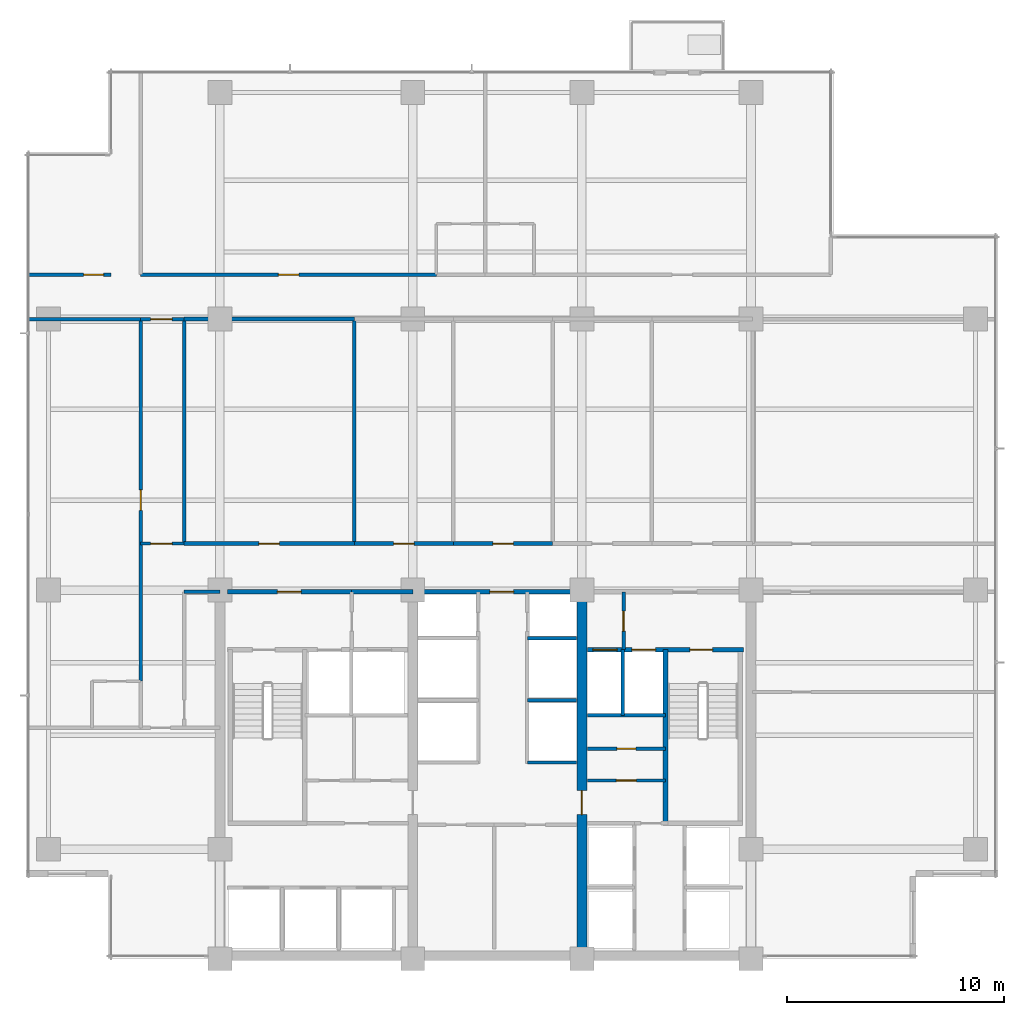
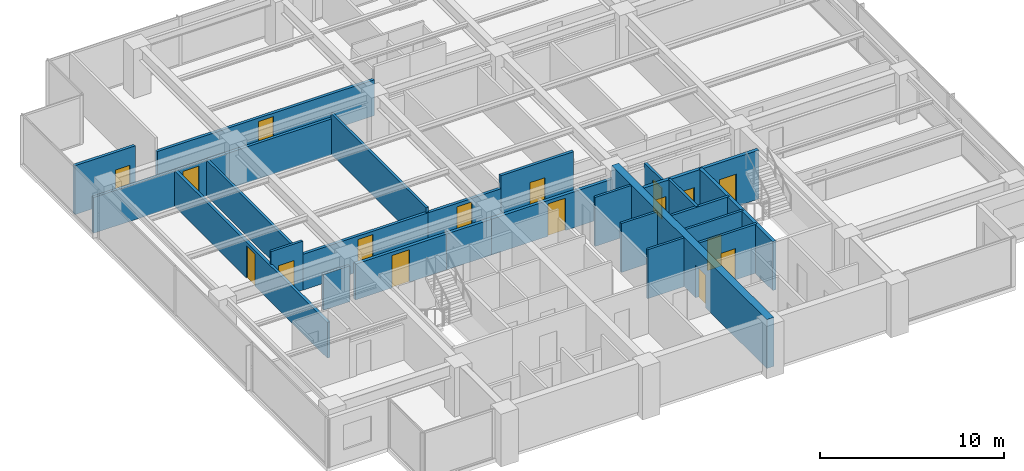
# One storey, part 8 of 15: 27 walls, 17 doors, 17 openings.
"""IFC4 building model written with IfcOpenShell, lengths in metres."""

from ifc_helpers import new_model, si_unit, direction, frame, frame_2d, origin, place, context, subcontext, project, spatial, rectangle, extrude, material, layer, layer_set, type_object, element, fill, save


model = new_model("IFC4")

# Units and contexts
model_context = context("Model", 3, precision=1e-05, world=origin(), true_north=direction((0.0, 1.0)))
body_context = subcontext(model_context, "Body", "Model", "MODEL_VIEW")
ifc_project = project(units=[si_unit("LENGTHUNIT", "METRE"), si_unit("AREAUNIT", "SQUARE_METRE"), si_unit("VOLUMEUNIT", "CUBIC_METRE"), si_unit("PLANEANGLEUNIT", "RADIAN"), si_unit("MASSUNIT", "GRAM", prefix="KILO")], contexts=[model_context])

# Site, building, storey
site_placement = place(None, origin())
site = spatial("IfcSite", under=ifc_project, at=site_placement, CompositionType="ELEMENT")
building_placement = place(site_placement, origin())
building = spatial("IfcBuilding", under=site, at=building_placement, Name="Qalmaran Belvedere Hotel", CompositionType="ELEMENT")
storey_placement = place(building_placement, frame((0.0, 0.0, 149.10009765625)))
storey = spatial("IfcBuildingStorey", under=building, at=storey_placement, Name="L37", CompositionType="ELEMENT", Elevation=149.10009765625)

# Wall, opening, door
ifc_material_1 = material(Name="Concrete C50/60", Category="concrete")
ifc_layer_1 = layer(ifc_material_1, 0.449951171875, Name="Concrete C50/60")
ifc_layer_set_1 = layer_set([ifc_layer_1], Name="Concrete C50/60")
wall_type_1 = type_object("IfcWallType", Name="WL-CORE-450-C50", PredefinedType="SHEAR", material=ifc_layer_set_1)
wall_1_placement = place(storey_placement, frame((37.0, 3.5, 0.0), z_axis=(0.0, 0.0, 1.0), x_axis=(0.0, 1.0, 0.0)))
wall_1 = element("IfcWall", 1, at=wall_1_placement, inside=storey, type_object=wall_type_1, Name="L37 Core East Spine Shear Wall", PredefinedType="SHEAR", context=body_context, shape_type="SweptSolid", body=[
    extrude(rectangle(XDim=16.89990234375, YDim=0.449951171875, at=frame_2d((8.449951171875, 0.0))), origin(), (0.0, 0.0, 1.0), 3.25),
])
opening_1_placement = place(wall_1_placement, frame((6.64990234375, 0.0, 0.0)))
opening_1 = element("IfcOpeningElement", 2, at=opening_1_placement, cuts=wall_1, Name="Opening FD90", PredefinedType="OPENING", context=body_context, shape_type="SweptSolid", body=[
    extrude(rectangle(XDim=1.10009765625, YDim=2.14990234375, at=frame_2d((0.550048828125, 1.074951171875))), frame((0.0, 0.23486328125, 0.0), z_axis=(0.0, -1.0, 0.0), x_axis=(1.0, 0.0, 0.0)), (0.0, 0.0, 1.0), 0.469970703125),
])
ifc_material_2 = material(Name="Steel S355JR", Category="steel")
door_type_1 = type_object("IfcDoorType", Name="DR-FD90-1100X2150", OperationType="NOTDEFINED", PredefinedType="DOOR", material=ifc_material_2)
door_1_placement = place(opening_1_placement, origin())
door_1 = element("IfcDoor", 3, at=door_1_placement, inside=storey, type_object=door_type_1, Name="L37 Core East Cross-Lobby Door", OperationType="SINGLE_SWING_RIGHT", OverallHeight=2.14990234375, OverallWidth=1.10009765625, PredefinedType="DOOR", context=body_context, shape_type="SweptSolid", body=[
    extrude(rectangle(XDim=1.10009765625, YDim=2.14990234375, at=frame_2d((0.550048828125, 1.074951171875))), frame((0.0, 0.02490234375, 0.0), z_axis=(0.0, -1.0, 0.0), x_axis=(1.0, 0.0, 0.0)), (0.0, 0.0, 1.0), 0.050048828125),
])
fill(opening_1, door_1)

# Walls
ifc_material_3 = material(Name="Gypsum Stud Partition")
ifc_layer_2 = layer(ifc_material_3, 0.14990234375, Name="Gypsum Stud Partition")
ifc_layer_set_2 = layer_set([ifc_layer_2], Name="Gypsum Stud Partition")
wall_type_2 = type_object("IfcWallType", Name="WL-INT-150-EI120", PredefinedType="PARTITIONING", material=ifc_layer_set_2)
wall_2_placement = place(storey_placement, frame((38.8798828125, 14.719970703125, 0.0), z_axis=(0.0, 0.0, 1.0), x_axis=(0.0, 1.0, 0.0)))
element("IfcWall", 4, at=wall_2_placement, inside=storey, type_object=wall_type_2, Name="L37 Partition WL-FF2M-L37", PredefinedType="PARTITIONING", context=body_context, shape_type="SweptSolid", body=[
    extrude(rectangle(XDim=3.0400390625, YDim=0.14990234375, at=frame_2d((1.52001953125, 0.0))), origin(), (0.0, 0.0, 1.0), 3.25),
])
for number, where, z_axis, x_axis, name in (
    (5, (34.47998046875, 12.550048828125, 0.0), (0.0, 0.0, 1.0), (1.0, 0.0, 0.0), "L37 Partition WL-PME-L37-125"),
    (6, (34.47998046875, 15.419921875, 0.0), (0.0, 0.0, 1.0), (1.0, 0.0, 0.0), "L37 Partition WL-PME-L37-154"),
    (7, (34.47998046875, 18.280029296875, 0.0), (0.0, 0.0, 1.0), (1.0, 0.0, 0.0), "L37 Partition WL-PME-L37-182"),
):
    element("IfcWall", number, at=place(storey_placement, frame(where, z_axis=z_axis, x_axis=x_axis)), inside=storey, type_object=wall_type_2, Name=name, PredefinedType="PARTITIONING", context=body_context, shape_type="SweptSolid", body=[
        extrude(rectangle(XDim=2.27001953125, YDim=0.14990234375, at=frame_2d((1.135009765625, 0.0))), origin(), (0.0, 0.0, 1.0), 3.25),
    ])

# Wall, opening, door
ifc_layer_3 = layer(ifc_material_3, 0.14990234375, Name="Gypsum Stud Partition")
ifc_layer_set_3 = layer_set([ifc_layer_3], Name="Gypsum Stud Partition")
wall_type_3 = type_object("IfcWallType", Name="WL-INT-150-EI60", PredefinedType="PARTITIONING", material=ifc_layer_set_3)
wall_3_placement = place(storey_placement, frame((37.25, 13.18505859375, 0.0), z_axis=(0.0, 0.0, 1.0), x_axis=(1.0, 0.0, 0.0)))
wall_3 = element("IfcWall", 8, at=wall_3_placement, inside=storey, type_object=wall_type_3, Name="L37 Partition WL-L37-KEHM", PredefinedType="PARTITIONING", context=body_context, shape_type="SweptSolid", body=[
    extrude(rectangle(XDim=3.610107421875, YDim=0.14990234375, at=frame_2d((1.80517578125, 0.0))), origin(), (0.0, 0.0, 1.0), 3.25),
])
opening_2_placement = place(wall_3_placement, frame((1.364990234375, 0.0, 0.0)))
opening_2 = element("IfcOpeningElement", 9, at=opening_2_placement, cuts=wall_3, Name="Opening FD60B", PredefinedType="OPENING", context=body_context, shape_type="SweptSolid", body=[
    extrude(rectangle(XDim=0.8798828125, YDim=2.080078125, at=frame_2d((0.43994140625, 1.0400390625))), frame((0.0, 0.0849609375, 0.0), z_axis=(0.0, -1.0, 0.0), x_axis=(1.0, 0.0, 0.0)), (0.0, 0.0, 1.0), 0.169921875),
])
door_type_2 = type_object("IfcDoorType", Name="DR-FD60B-880X2080", OperationType="NOTDEFINED", PredefinedType="DOOR", material=ifc_material_2)
door_2_placement = place(opening_2_placement, origin())
door_2 = element("IfcDoor", 10, at=door_2_placement, inside=storey, type_object=door_type_2, Name="L37 Hotel Linen Closet Door", OperationType="SINGLE_SWING_LEFT", OverallHeight=2.080078125, OverallWidth=0.8798828125, PredefinedType="DOOR", context=body_context, shape_type="SweptSolid", body=[
    extrude(rectangle(XDim=0.8798828125, YDim=2.080078125, at=frame_2d((0.43994140625, 1.0400390625))), frame((0.0, 0.02490234375, 0.0), z_axis=(0.0, -1.0, 0.0), x_axis=(1.0, 0.0, 0.0)), (0.0, 0.0, 1.0), 0.050048828125),
])
fill(opening_2, door_2)

wall_4_placement = place(storey_placement, frame((16.64990234375, 22.64990234375, 0.0), z_axis=(0.0, 0.0, 1.0), x_axis=(1.0, 0.0, 0.0)))
wall_4 = element("IfcWall", 11, at=wall_4_placement, inside=storey, type_object=wall_type_3, Name="L37 Partition WL-L37-XCW1", PredefinedType="PARTITIONING", context=body_context, shape_type="SweptSolid", body=[
    extrude(rectangle(XDim=2.0, YDim=0.14990234375, at=frame_2d((1.0, 0.0))), origin(), (0.0, 0.0, 1.0), 3.25),
])
opening_3_placement = place(wall_4_placement, frame((0.449951171875, 0.0, 0.0)))
opening_3 = element("IfcOpeningElement", 12, at=opening_3_placement, cuts=wall_4, Name="Opening FD90B", PredefinedType="OPENING", context=body_context, shape_type="SweptSolid", body=[
    extrude(rectangle(XDim=1.0, YDim=2.14990234375, at=frame_2d((0.5, 1.074951171875))), frame((0.0, 0.0849609375, 0.0), z_axis=(0.0, -1.0, 0.0), x_axis=(1.0, 0.0, 0.0)), (0.0, 0.0, 1.0), 0.169921875),
])
door_type_3 = type_object("IfcDoorType", Name="DR-FD90B-1000X2150", OperationType="NOTDEFINED", PredefinedType="DOOR", material=ifc_material_2)
door_3_placement = place(opening_3_placement, origin())
door_3 = element("IfcDoor", 13, at=door_3_placement, inside=storey, type_object=door_type_3, Name="L37 West Corridor Smoke Door S", OperationType="SINGLE_SWING_LEFT", OverallHeight=2.14990234375, OverallWidth=1.0, PredefinedType="DOOR", context=body_context, shape_type="SweptSolid", body=[
    extrude(rectangle(XDim=1.0, YDim=2.14990234375, at=frame_2d((0.5, 1.074951171875))), frame((0.0, 0.02490234375, 0.0), z_axis=(0.0, -1.0, 0.0), x_axis=(1.0, 0.0, 0.0)), (0.0, 0.0, 1.0), 0.050048828125),
])
fill(opening_3, door_3)

wall_5_placement = place(storey_placement, frame((16.64990234375, 33.0, 0.0), z_axis=(0.0, 0.0, 1.0), x_axis=(1.0, 0.0, 0.0)))
wall_5 = element("IfcWall", 14, at=wall_5_placement, inside=storey, type_object=wall_type_3, Name="L37 Partition WL-L37-XCW2", PredefinedType="PARTITIONING", context=body_context, shape_type="SweptSolid", body=[
    extrude(rectangle(XDim=2.0, YDim=0.14990234375, at=frame_2d((1.0, 0.0))), origin(), (0.0, 0.0, 1.0), 2.3798828125),
])
opening_4_placement = place(wall_5_placement, frame((0.449951171875, 0.0, 0.0)))
opening_4 = element("IfcOpeningElement", 15, at=opening_4_placement, cuts=wall_5, Name="Opening FD90B", PredefinedType="OPENING", context=body_context, shape_type="SweptSolid", body=[
    extrude(rectangle(XDim=1.0, YDim=2.14990234375, at=frame_2d((0.5, 1.074951171875))), frame((0.0, 0.0849609375, 0.0), z_axis=(0.0, -1.0, 0.0), x_axis=(1.0, 0.0, 0.0)), (0.0, 0.0, 1.0), 0.169921875),
])
door_4_placement = place(opening_4_placement, origin())
door_4 = element("IfcDoor", 16, at=door_4_placement, inside=storey, type_object=door_type_3, Name="L37 West Corridor Smoke Door N", OperationType="SINGLE_SWING_RIGHT", OverallHeight=2.14990234375, OverallWidth=1.0, PredefinedType="DOOR", context=body_context, shape_type="SweptSolid", body=[
    extrude(rectangle(XDim=1.0, YDim=2.14990234375, at=frame_2d((0.5, 1.074951171875))), frame((0.0, 0.02490234375, 0.0), z_axis=(0.0, -1.0, 0.0), x_axis=(1.0, 0.0, 0.0)), (0.0, 0.0, 1.0), 0.050048828125),
])
fill(opening_4, door_4)

ifc_layer_4 = layer(ifc_material_3, 0.159912109375, Name="Gypsum Stud Partition")
ifc_layer_set_4 = layer_set([ifc_layer_4], Name="Gypsum Stud Partition")
wall_type_4 = type_object("IfcWallType", Name="WL-INT-160-EI120", PredefinedType="PARTITIONING", material=ifc_layer_set_4)
wall_6_placement = place(storey_placement, frame((38.919921875, 17.760009765625, 0.0), z_axis=(0.0, 0.0, 1.0), x_axis=(0.0, 1.0, 0.0)))
wall_6 = element("IfcWall", 17, at=wall_6_placement, inside=storey, type_object=wall_type_4, Name="L37 Partition WL-FFSV2-L37", PredefinedType="PARTITIONING", context=body_context, shape_type="SweptSolid", body=[
    extrude(rectangle(XDim=2.659912109375, YDim=0.159912109375, at=frame_2d((1.330078125, 0.0))), origin(), (0.0, 0.0, 1.0), 2.69189453125),
])
opening_5_placement = place(wall_6_placement, frame((1.77001953125, 0.0, 0.0), z_axis=(0.0, 0.0, 1.0), x_axis=(-1.0, 0.0, 0.0)))
opening_5 = element("IfcOpeningElement", 18, at=opening_5_placement, cuts=wall_6, Name="Opening FD60S1", PredefinedType="OPENING", context=body_context, shape_type="SweptSolid", body=[
    extrude(rectangle(XDim=0.919921875, YDim=2.080078125, at=frame_2d((0.4599609375, 1.0400390625))), frame((0.0, 0.08984375, 0.0), z_axis=(0.0, -1.0, 0.0), x_axis=(1.0, 0.0, 0.0)), (0.0, 0.0, 1.0), 0.179931640625),
])
ifc_material_4 = material(Name="Engineered Oak Veneer")
door_type_4 = type_object("IfcDoorType", Name="DR-FD60S-920X2080", OperationType="NOTDEFINED", PredefinedType="DOOR", material=ifc_material_4)
door_5_placement = place(opening_5_placement, origin())
door_5 = element("IfcDoor", 19, at=door_5_placement, inside=storey, type_object=door_type_4, Name="L37 Service Lobby East Door", OperationType="SINGLE_SWING_RIGHT", OverallHeight=2.080078125, OverallWidth=0.919921875, PredefinedType="DOOR", context=body_context, shape_type="SweptSolid", body=[
    extrude(rectangle(XDim=0.919921875, YDim=2.080078125, at=frame_2d((0.4599609375, 1.0400390625))), frame((0.0, 0.02490234375, 0.0), z_axis=(0.0, -1.0, 0.0), x_axis=(1.0, 0.0, 0.0)), (0.0, 0.0, 1.0), 0.050048828125),
])
fill(opening_5, door_5)

# Wall
wall_7_placement = place(storey_placement, frame((37.25, 14.719970703125, 0.0), z_axis=(0.0, 0.0, 1.0), x_axis=(1.0, 0.0, 0.0)))
element("IfcWall", 20, at=wall_7_placement, inside=storey, type_object=wall_type_4, Name="L37 Partition WL-FF2S-L37", PredefinedType="PARTITIONING", context=body_context, shape_type="SweptSolid", body=[
    extrude(rectangle(XDim=3.610107421875, YDim=0.159912109375, at=frame_2d((1.80517578125, 0.0))), origin(), (0.0, 0.0, 1.0), 3.25),
])

# Wall, opening, door
ifc_layer_5 = layer(ifc_material_3, 0.159912109375, Name="Gypsum Stud Partition")
ifc_layer_set_5 = layer_set([ifc_layer_5], Name="Gypsum Stud Partition")
wall_type_5 = type_object("IfcWallType", Name="WL-INT-160-EI60", PredefinedType="PARTITIONING", material=ifc_layer_set_5)
wall_8_placement = place(storey_placement, frame((37.25, 11.719970703125, 0.0), z_axis=(0.0, 0.0, 1.0), x_axis=(1.0, 0.0, 0.0)))
wall_8 = element("IfcWall", 21, at=wall_8_placement, inside=storey, type_object=wall_type_5, Name="L37 Partition WL-L37-KEE1", PredefinedType="PARTITIONING", context=body_context, shape_type="SweptSolid", body=[
    extrude(rectangle(XDim=3.610107421875, YDim=0.159912109375, at=frame_2d((1.80517578125, 0.0))), origin(), (0.0, 0.0, 1.0), 3.25),
])
opening_6_placement = place(wall_8_placement, frame((1.344970703125, 0.0, 0.0)))
opening_6 = element("IfcOpeningElement", 22, at=opening_6_placement, cuts=wall_8, Name="Opening FD60S1", PredefinedType="OPENING", context=body_context, shape_type="SweptSolid", body=[
    extrude(rectangle(XDim=0.919921875, YDim=2.080078125, at=frame_2d((0.4599609375, 1.0400390625))), frame((0.0, 0.08984375, 0.0), z_axis=(0.0, -1.0, 0.0), x_axis=(1.0, 0.0, 0.0)), (0.0, 0.0, 1.0), 0.179931640625),
])
door_6_placement = place(opening_6_placement, origin())
door_6 = element("IfcDoor", 23, at=door_6_placement, inside=storey, type_object=door_type_4, Name="L37 Low Voltage Switch Room Door", OperationType="SINGLE_SWING_RIGHT", OverallHeight=2.080078125, OverallWidth=0.919921875, PredefinedType="DOOR", context=body_context, shape_type="SweptSolid", body=[
    extrude(rectangle(XDim=0.919921875, YDim=2.080078125, at=frame_2d((0.4599609375, 1.0400390625))), frame((0.0, 0.02490234375, 0.0), z_axis=(0.0, -1.0, 0.0), x_axis=(1.0, 0.0, 0.0)), (0.0, 0.0, 1.0), 0.050048828125),
])
fill(opening_6, door_6)

# Walls
wall_9_placement = place(storey_placement, frame((18.64990234375, 20.419921875, 0.0), z_axis=(0.0, 0.0, 1.0), x_axis=(1.0, 0.0, 0.0)))
element("IfcWall", 24, at=wall_9_placement, inside=storey, type_object=wall_type_5, Name="L37 Partition WL-L37-WCLN", PredefinedType="PARTITIONING", context=body_context, shape_type="SweptSolid", body=[
    extrude(rectangle(XDim=1.650146484375, YDim=0.159912109375, at=frame_2d((0.8251953125, 0.0))), origin(), (0.0, 0.0, 1.0), 2.3798828125),
])
wall_10_placement = place(storey_placement, frame((18.64990234375, 22.64990234375, 0.0), z_axis=(0.0, 0.0, 1.0), x_axis=(0.0, 1.0, 0.0)))
element("IfcWall", 25, at=wall_10_placement, inside=storey, type_object=wall_type_5, Name="L37 Partition WL-L37-MIDVL", PredefinedType="PARTITIONING", context=body_context, shape_type="SweptSolid", body=[
    extrude(rectangle(XDim=10.35009765625, YDim=0.159912109375, at=frame_2d((5.175048828125, 0.0))), origin(), (0.0, 0.0, 1.0), 2.3798828125),
])
wall_11_placement = place(storey_placement, frame((26.5, 22.64990234375, 0.0), z_axis=(0.0, 0.0, 1.0), x_axis=(0.0, 1.0, 0.0)))
element("IfcWall", 26, at=wall_11_placement, inside=storey, type_object=wall_type_5, Name="L37 Partition WL-L37-MIDVR1", PredefinedType="PARTITIONING", context=body_context, shape_type="SweptSolid", body=[
    extrude(rectangle(XDim=10.35009765625, YDim=0.159912109375, at=frame_2d((5.175048828125, 0.0))), origin(), (0.0, 0.0, 1.0), 2.69189453125),
])
wall_12_placement = place(storey_placement, frame((11.469970703125, 33.0, 0.0), z_axis=(0.0, 0.0, 1.0), x_axis=(1.0, 0.0, 0.0)))
element("IfcWall", 27, at=wall_12_placement, inside=storey, type_object=wall_type_5, Name="L37 Partition WL-L37-WU00", PredefinedType="PARTITIONING", context=body_context, shape_type="SweptSolid", body=[
    extrude(rectangle(XDim=5.179931640625, YDim=0.159912109375, at=frame_2d((2.58984375, 0.0))), origin(), (0.0, 0.0, 1.0), 2.3798828125),
])

# Wall, opening, door
ifc_layer_6 = layer(ifc_material_3, 0.179931640625, Name="Gypsum Stud Partition")
ifc_layer_set_6 = layer_set([ifc_layer_6], Name="Gypsum Stud Partition")
wall_type_6 = type_object("IfcWallType", Name="WL-INT-180-EI60", PredefinedType="PARTITIONING", material=ifc_layer_set_6)
wall_13_placement = place(storey_placement, frame((18.64990234375, 22.64990234375, 0.0), z_axis=(0.0, 0.0, 1.0), x_axis=(1.0, 0.0, 0.0)))
wall_13 = element("IfcWall", 28, at=wall_13_placement, inside=storey, type_object=wall_type_6, Name="L37 Partition WL-L37-MIDD1", PredefinedType="PARTITIONING", context=body_context, shape_type="SweptSolid", body=[
    extrude(rectangle(XDim=7.85009765625, YDim=0.179931640625, at=frame_2d((3.925048828125, 0.0))), origin(), (0.0, 0.0, 1.0), 2.3798828125),
])
opening_7_placement = place(wall_13_placement, frame((3.449951171875, 0.0, 0.0)))
opening_7 = element("IfcOpeningElement", 29, at=opening_7_placement, cuts=wall_13, Name="Opening FD60", PredefinedType="OPENING", context=body_context, shape_type="SweptSolid", body=[
    extrude(rectangle(XDim=0.949951171875, YDim=2.14990234375, at=frame_2d((0.47509765625, 1.074951171875))), frame((0.0, 0.10009765625, 0.0), z_axis=(0.0, -1.0, 0.0), x_axis=(1.0, 0.0, 0.0)), (0.0, 0.0, 1.0), 0.199951171875),
])
door_type_5 = type_object("IfcDoorType", Name="DR-FD60-950X2150", OperationType="NOTDEFINED", PredefinedType="DOOR", material=ifc_material_4)
door_7_placement = place(opening_7_placement, origin())
door_7 = element("IfcDoor", 30, at=door_7_placement, inside=storey, type_object=door_type_5, Name="L37 Housekeeping and Linen Room Door", OperationType="SINGLE_SWING_LEFT", OverallHeight=2.14990234375, OverallWidth=0.949951171875, PredefinedType="DOOR", context=body_context, shape_type="SweptSolid", body=[
    extrude(rectangle(XDim=0.949951171875, YDim=2.14990234375, at=frame_2d((0.47509765625, 1.074951171875))), frame((0.0, 0.02490234375, 0.0), z_axis=(0.0, -1.0, 0.0), x_axis=(1.0, 0.0, 0.0)), (0.0, 0.0, 1.0), 0.050048828125),
])
fill(opening_7, door_7)

# Wall
wall_14_placement = place(storey_placement, frame((18.64990234375, 33.0, 0.0), z_axis=(0.0, 0.0, 1.0), x_axis=(1.0, 0.0, 0.0)))
element("IfcWall", 31, at=wall_14_placement, inside=storey, type_object=wall_type_6, Name="L37 Partition WL-L37-MIDO1", PredefinedType="PARTITIONING", context=body_context, shape_type="SweptSolid", body=[
    extrude(rectangle(XDim=7.85009765625, YDim=0.179931640625, at=frame_2d((3.925048828125, 0.0))), origin(), (0.0, 0.0, 1.0), 2.3798828125),
])

# Wall, opening, door
wall_15_placement = place(storey_placement, frame((26.5, 22.64990234375, 0.0), z_axis=(0.0, 0.0, 1.0), x_axis=(1.0, 0.0, 0.0)))
wall_15 = element("IfcWall", 32, at=wall_15_placement, inside=storey, type_object=wall_type_6, Name="L37 Partition WL-L37-MIDD2", PredefinedType="PARTITIONING", context=body_context, shape_type="SweptSolid", body=[
    extrude(rectangle(XDim=4.574951171875, YDim=0.179931640625, at=frame_2d((2.28759765625, 0.0))), origin(), (0.0, 0.0, 1.0), 2.3798828125),
])
opening_8_placement = place(wall_15_placement, frame((1.8125, 0.0, 0.0)))
opening_8 = element("IfcOpeningElement", 33, at=opening_8_placement, cuts=wall_15, Name="Opening FD60", PredefinedType="OPENING", context=body_context, shape_type="SweptSolid", body=[
    extrude(rectangle(XDim=0.949951171875, YDim=2.14990234375, at=frame_2d((0.47509765625, 1.074951171875))), frame((0.0, 0.10009765625, 0.0), z_axis=(0.0, -1.0, 0.0), x_axis=(1.0, 0.0, 0.0)), (0.0, 0.0, 1.0), 0.199951171875),
])
door_8_placement = place(opening_8_placement, origin())
door_8 = element("IfcDoor", 34, at=door_8_placement, inside=storey, type_object=door_type_5, Name="L37 Yoga Spa Door", OperationType="SINGLE_SWING_RIGHT", OverallHeight=2.14990234375, OverallWidth=0.949951171875, PredefinedType="DOOR", context=body_context, shape_type="SweptSolid", body=[
    extrude(rectangle(XDim=0.949951171875, YDim=2.14990234375, at=frame_2d((0.47509765625, 1.074951171875))), frame((0.0, 0.02490234375, 0.0), z_axis=(0.0, -1.0, 0.0), x_axis=(1.0, 0.0, 0.0)), (0.0, 0.0, 1.0), 0.050048828125),
])
fill(opening_8, door_8)

wall_16_placement = place(storey_placement, frame((31.074951171875, 22.64990234375, 0.0), z_axis=(0.0, 0.0, 1.0), x_axis=(1.0, 0.0, 0.0)))
wall_16 = element("IfcWall", 35, at=wall_16_placement, inside=storey, type_object=wall_type_6, Name="L37 Partition WL-L37-MIDD3", PredefinedType="PARTITIONING", context=body_context, shape_type="SweptSolid", body=[
    extrude(rectangle(XDim=4.574951171875, YDim=0.179931640625, at=frame_2d((2.28759765625, 0.0))), origin(), (0.0, 0.0, 1.0), 3.25),
])
opening_9_placement = place(wall_16_placement, frame((1.8125, 0.0, 0.0)))
opening_9 = element("IfcOpeningElement", 36, at=opening_9_placement, cuts=wall_16, Name="Opening FD60", PredefinedType="OPENING", context=body_context, shape_type="SweptSolid", body=[
    extrude(rectangle(XDim=0.949951171875, YDim=2.14990234375, at=frame_2d((0.47509765625, 1.074951171875))), frame((0.0, 0.10009765625, 0.0), z_axis=(0.0, -1.0, 0.0), x_axis=(1.0, 0.0, 0.0)), (0.0, 0.0, 1.0), 0.199951171875),
])
door_9_placement = place(opening_9_placement, origin())
door_9 = element("IfcDoor", 37, at=door_9_placement, inside=storey, type_object=door_type_5, Name="L37 Fitness Gym Door", OperationType="SINGLE_SWING_LEFT", OverallHeight=2.14990234375, OverallWidth=0.949951171875, PredefinedType="DOOR", context=body_context, shape_type="SweptSolid", body=[
    extrude(rectangle(XDim=0.949951171875, YDim=2.14990234375, at=frame_2d((0.47509765625, 1.074951171875))), frame((0.0, 0.02490234375, 0.0), z_axis=(0.0, -1.0, 0.0), x_axis=(1.0, 0.0, 0.0)), (0.0, 0.0, 1.0), 0.050048828125),
])
fill(opening_9, door_9)

wall_17_placement = place(storey_placement, frame((16.64990234375, 35.050048828125, 0.0), z_axis=(0.0, 0.0, 1.0), x_axis=(1.0, 0.0, 0.0)))
wall_17 = element("IfcWall", 38, at=wall_17_placement, inside=storey, type_object=wall_type_6, Name="L37 Partition WL-L37-NEC00", PredefinedType="PARTITIONING", context=body_context, shape_type="SweptSolid", body=[
    extrude(rectangle(XDim=13.639404296875, YDim=0.179931640625, at=frame_2d((6.81982421875, 0.0))), origin(), (0.0, 0.0, 1.0), 2.3798828125),
])
opening_10_placement = place(wall_17_placement, frame((6.344482421875, 0.0, 0.0)))
opening_10 = element("IfcOpeningElement", 39, at=opening_10_placement, cuts=wall_17, Name="Opening FD60", PredefinedType="OPENING", context=body_context, shape_type="SweptSolid", body=[
    extrude(rectangle(XDim=0.949951171875, YDim=2.14990234375, at=frame_2d((0.47509765625, 1.074951171875))), frame((0.0, 0.10009765625, 0.0), z_axis=(0.0, -1.0, 0.0), x_axis=(1.0, 0.0, 0.0)), (0.0, 0.0, 1.0), 0.199951171875),
])
door_10_placement = place(opening_10_placement, origin())
door_10 = element("IfcDoor", 40, at=door_10_placement, inside=storey, type_object=door_type_5, Name="L37 Guest Entrance Door N01", OperationType="SINGLE_SWING_LEFT", OverallHeight=2.14990234375, OverallWidth=0.949951171875, PredefinedType="DOOR", context=body_context, shape_type="SweptSolid", body=[
    extrude(rectangle(XDim=0.949951171875, YDim=2.14990234375, at=frame_2d((0.47509765625, 1.074951171875))), frame((0.0, 0.02490234375, 0.0), z_axis=(0.0, -1.0, 0.0), x_axis=(1.0, 0.0, 0.0)), (0.0, 0.0, 1.0), 0.050048828125),
])
fill(opening_10, door_10)

wall_18_placement = place(storey_placement, frame((16.64990234375, 16.300048828125, 0.0), z_axis=(0.0, 0.0, 1.0), x_axis=(0.0, 1.0, 0.0)))
wall_18 = element("IfcWall", 41, at=wall_18_placement, inside=storey, type_object=wall_type_6, Name="L37 Partition WL-L37-WEC00", PredefinedType="PARTITIONING", context=body_context, shape_type="SweptSolid", body=[
    extrude(rectangle(XDim=16.699951171875, YDim=0.179931640625, at=frame_2d((8.35009765625, 0.0))), origin(), (0.0, 0.0, 1.0), 2.3798828125),
])
opening_11_placement = place(wall_18_placement, frame((7.875, 0.0, 0.0)))
opening_11 = element("IfcOpeningElement", 42, at=opening_11_placement, cuts=wall_18, Name="Opening FD60", PredefinedType="OPENING", context=body_context, shape_type="SweptSolid", body=[
    extrude(rectangle(XDim=0.949951171875, YDim=2.14990234375, at=frame_2d((0.47509765625, 1.074951171875))), frame((0.0, 0.10009765625, 0.0), z_axis=(0.0, -1.0, 0.0), x_axis=(1.0, 0.0, 0.0)), (0.0, 0.0, 1.0), 0.199951171875),
])
door_11_placement = place(opening_11_placement, origin())
door_11 = element("IfcDoor", 43, at=door_11_placement, inside=storey, type_object=door_type_5, Name="L37 W Wing Door 01", OperationType="SINGLE_SWING_LEFT", OverallHeight=2.14990234375, OverallWidth=0.949951171875, PredefinedType="DOOR", context=body_context, shape_type="SweptSolid", body=[
    extrude(rectangle(XDim=0.949951171875, YDim=2.14990234375, at=frame_2d((0.47509765625, 1.074951171875))), frame((0.0, 0.02490234375, 0.0), z_axis=(0.0, -1.0, 0.0), x_axis=(1.0, 0.0, 0.0)), (0.0, 0.0, 1.0), 0.050048828125),
])
fill(opening_11, door_11)

wall_19_placement = place(storey_placement, frame((11.469970703125, 35.050048828125, 0.0), z_axis=(0.0, 0.0, 1.0), x_axis=(1.0, 0.0, 0.0)))
wall_19 = element("IfcWall", 44, at=wall_19_placement, inside=storey, type_object=wall_type_6, Name="L37 Partition WL-L37-NWSD", PredefinedType="PARTITIONING", context=body_context, shape_type="SweptSolid", body=[
    extrude(rectangle(XDim=3.800048828125, YDim=0.179931640625, at=frame_2d((1.89990234375, 0.0))), origin(), (0.0, 0.0, 1.0), 3.25),
])
opening_12_placement = place(wall_19_placement, frame((2.543701171875, 0.0, 0.0)))
opening_12 = element("IfcOpeningElement", 45, at=opening_12_placement, cuts=wall_19, Name="Opening FD60S1", PredefinedType="OPENING", context=body_context, shape_type="SweptSolid", body=[
    extrude(rectangle(XDim=0.919921875, YDim=2.080078125, at=frame_2d((0.4599609375, 1.0400390625))), frame((0.0, 0.10009765625, 0.0), z_axis=(0.0, -1.0, 0.0), x_axis=(1.0, 0.0, 0.0)), (0.0, 0.0, 1.0), 0.199951171875),
])
door_12_placement = place(opening_12_placement, origin())
door_12 = element("IfcDoor", 46, at=door_12_placement, inside=storey, type_object=door_type_4, Name="L37 NW Belvedere Study Door", OperationType="SINGLE_SWING_RIGHT", OverallHeight=2.080078125, OverallWidth=0.919921875, PredefinedType="DOOR", context=body_context, shape_type="SweptSolid", body=[
    extrude(rectangle(XDim=0.919921875, YDim=2.080078125, at=frame_2d((0.4599609375, 1.0400390625))), frame((0.0, 0.02490234375, 0.0), z_axis=(0.0, -1.0, 0.0), x_axis=(1.0, 0.0, 0.0)), (0.0, 0.0, 1.0), 0.050048828125),
])
fill(opening_12, door_12)

ifc_material_5 = material(Name="Concrete C30/37 Blockwork", Category="masonry")
ifc_layer_7 = layer(ifc_material_5, 0.199951171875, Name="Concrete C30/37 Blockwork")
ifc_layer_set_7 = layer_set([ifc_layer_7], Name="Concrete C30/37 Blockwork")
wall_type_7 = type_object("IfcWallType", Name="WL-INT-200-EI120", PredefinedType="PARTITIONING", material=ifc_layer_set_7)
wall_20_placement = place(storey_placement, frame((20.64990234375, 20.419921875, 0.0), z_axis=(0.0, 0.0, 1.0), x_axis=(1.0, 0.0, 0.0)))
wall_20 = element("IfcWall", 47, at=wall_20_placement, inside=storey, type_object=wall_type_7, Name="L37 Partition WL-CN1A-L37", PredefinedType="PARTITIONING", context=body_context, shape_type="SweptSolid", body=[
    extrude(rectangle(XDim=5.72998046875, YDim=0.199951171875, at=frame_2d((2.864990234375, 0.0))), origin(), (0.0, 0.0, 1.0), 2.3798828125),
])
opening_13_placement = place(wall_20_placement, frame((2.300048828125, 0.0, 0.0)))
opening_13 = element("IfcOpeningElement", 48, at=opening_13_placement, cuts=wall_20, Name="Opening FD90", PredefinedType="OPENING", context=body_context, shape_type="SweptSolid", body=[
    extrude(rectangle(XDim=1.10009765625, YDim=2.14990234375, at=frame_2d((0.550048828125, 1.074951171875))), frame((0.0, 0.10986328125, 0.0), z_axis=(0.0, -1.0, 0.0), x_axis=(1.0, 0.0, 0.0)), (0.0, 0.0, 1.0), 0.219970703125),
])
door_13_placement = place(opening_13_placement, origin())
door_13 = element("IfcDoor", 49, at=door_13_placement, inside=storey, type_object=door_type_1, Name="L37 FF1 Lobby Corridor Door", OperationType="SINGLE_SWING_LEFT", OverallHeight=2.14990234375, OverallWidth=1.10009765625, PredefinedType="DOOR", context=body_context, shape_type="SweptSolid", body=[
    extrude(rectangle(XDim=1.10009765625, YDim=2.14990234375, at=frame_2d((0.550048828125, 1.074951171875))), frame((0.0, 0.02490234375, 0.0), z_axis=(0.0, -1.0, 0.0), x_axis=(1.0, 0.0, 0.0)), (0.0, 0.0, 1.0), 0.050048828125),
])
fill(opening_13, door_13)

# Wall
wall_21_placement = place(storey_placement, frame((26.3798828125, 20.419921875, 0.0), z_axis=(0.0, 0.0, 1.0), x_axis=(1.0, 0.0, 0.0)))
element("IfcWall", 50, at=wall_21_placement, inside=storey, type_object=wall_type_7, Name="L37 Partition WL-CN1B-L37", PredefinedType="PARTITIONING", context=body_context, shape_type="SweptSolid", body=[
    extrude(rectangle(XDim=2.820068359375, YDim=0.199951171875, at=frame_2d((1.41015625, 0.0))), origin(), (0.0, 0.0, 1.0), 2.3798828125),
])

# Wall, opening, door
wall_22_placement = place(storey_placement, frame((29.199951171875, 20.419921875, 0.0), z_axis=(0.0, 0.0, 1.0), x_axis=(1.0, 0.0, 0.0)))
wall_22 = element("IfcWall", 51, at=wall_22_placement, inside=storey, type_object=wall_type_7, Name="L37 Partition WL-CN2-L37", PredefinedType="PARTITIONING", context=body_context, shape_type="SweptSolid", body=[
    extrude(rectangle(XDim=7.800048828125, YDim=0.199951171875, at=frame_2d((3.89990234375, 0.0))), origin(), (0.0, 0.0, 1.0), 2.3798828125),
])
opening_14_placement = place(wall_22_placement, frame((3.550048828125, 0.0, 0.0)))
opening_14 = element("IfcOpeningElement", 52, at=opening_14_placement, cuts=wall_22, Name="Opening FD90", PredefinedType="OPENING", context=body_context, shape_type="SweptSolid", body=[
    extrude(rectangle(XDim=1.10009765625, YDim=2.14990234375, at=frame_2d((0.550048828125, 1.074951171875))), frame((0.0, 0.10986328125, 0.0), z_axis=(0.0, -1.0, 0.0), x_axis=(1.0, 0.0, 0.0)), (0.0, 0.0, 1.0), 0.219970703125),
])
door_14_placement = place(opening_14_placement, origin())
door_14 = element("IfcDoor", 53, at=door_14_placement, inside=storey, type_object=door_type_1, Name="L37 Central Lift Lobby Door", OperationType="SINGLE_SWING_RIGHT", OverallHeight=2.14990234375, OverallWidth=1.10009765625, PredefinedType="DOOR", context=body_context, shape_type="SweptSolid", body=[
    extrude(rectangle(XDim=1.10009765625, YDim=2.14990234375, at=frame_2d((0.550048828125, 1.074951171875))), frame((0.0, 0.02490234375, 0.0), z_axis=(0.0, -1.0, 0.0), x_axis=(1.0, 0.0, 0.0)), (0.0, 0.0, 1.0), 0.050048828125),
])
fill(opening_14, door_14)

# Wall
ifc_layer_8 = layer(ifc_material_1, 0.2099609375, Name="Concrete C50/60")
ifc_layer_set_8 = layer_set([ifc_layer_8], Name="Concrete C50/60")
wall_type_8 = type_object("IfcWallType", Name="WL-STAIR-210-C50", PredefinedType="SHEAR", material=ifc_layer_set_8)
wall_23_placement = place(storey_placement, frame((40.85498046875, 9.7451171875, 0.0), z_axis=(0.0, 0.0, 1.0), x_axis=(0.0, 1.0, 0.0)))
element("IfcWall", 54, at=wall_23_placement, inside=storey, type_object=wall_type_8, Name="L37 Stair ST-2 West Bearing Wall", PredefinedType="SHEAR", context=body_context, shape_type="SweptSolid", body=[
    extrude(rectangle(XDim=8.009765625, YDim=0.2099609375, at=frame_2d((4.0048828125, 0.0))), origin(), (0.0, 0.0, 1.0), 3.25),
])

# Wall, openings, doors
wall_24_placement = place(storey_placement, frame((37.25, 17.7548828125, 0.0), z_axis=(0.0, 0.0, 1.0), x_axis=(1.0, 0.0, 0.0)))
wall_24 = element("IfcWall", 55, at=wall_24_placement, inside=storey, type_object=wall_type_8, Name="L37 East Lobby and Stair ST-2 North Bearing Wall", PredefinedType="SHEAR", context=body_context, shape_type="SweptSolid", body=[
    extrude(rectangle(XDim=7.199951171875, YDim=0.2099609375, at=frame_2d((3.60009765625, 0.0))), origin(), (0.0, 0.0, 1.0), 3.25),
])
opening_15_placement = place(wall_24_placement, frame((0.25, 0.0, 0.0)))
opening_15 = element("IfcOpeningElement", 56, at=opening_15_placement, cuts=wall_24, Name="Opening LD-SV", PredefinedType="OPENING", context=body_context, shape_type="SweptSolid", body=[
    extrude(rectangle(XDim=1.1201171875, YDim=2.199951171875, at=frame_2d((0.56005859375, 1.10009765625))), frame((0.0, 0.114990234375, 0.0), z_axis=(0.0, -1.0, 0.0), x_axis=(1.0, 0.0, 0.0)), (0.0, 0.0, 1.0), 0.22998046875),
])
opening_16_placement = place(wall_24_placement, frame((2.050048828125, 0.0, 0.0)))
opening_16 = element("IfcOpeningElement", 57, at=opening_16_placement, cuts=wall_24, Name="Opening LD-FF", PredefinedType="OPENING", context=body_context, shape_type="SweptSolid", body=[
    extrude(rectangle(XDim=1.10009765625, YDim=2.179931640625, at=frame_2d((0.550048828125, 1.08984375))), frame((0.0, 0.114990234375, 0.0), z_axis=(0.0, -1.0, 0.0), x_axis=(1.0, 0.0, 0.0)), (0.0, 0.0, 1.0), 0.22998046875),
])
opening_17_placement = place(wall_24_placement, frame((5.780029296875, 0.0, 0.0), z_axis=(0.0, 0.0, 1.0), x_axis=(-1.0, 0.0, 0.0)))
opening_17 = element("IfcOpeningElement", 58, at=opening_17_placement, cuts=wall_24, Name="Opening FD90S2", PredefinedType="OPENING", context=body_context, shape_type="SweptSolid", body=[
    extrude(rectangle(XDim=1.050048828125, YDim=2.14990234375, at=frame_2d((0.52490234375, 1.074951171875))), frame((0.0, 0.114990234375, 0.0), z_axis=(0.0, -1.0, 0.0), x_axis=(1.0, 0.0, 0.0)), (0.0, 0.0, 1.0), 0.22998046875),
])
door_type_6 = type_object("IfcDoorType", Name="DR-FD90S-1050X2150", OperationType="NOTDEFINED", PredefinedType="DOOR", material=ifc_material_2)
door_15_placement = place(opening_17_placement, origin())
door_15 = element("IfcDoor", 59, at=door_15_placement, inside=storey, type_object=door_type_6, Name="L37 Stair ST-2 Door", OperationType="SINGLE_SWING_RIGHT", OverallHeight=2.14990234375, OverallWidth=1.050048828125, PredefinedType="DOOR", context=body_context, shape_type="SweptSolid", body=[
    extrude(rectangle(XDim=1.050048828125, YDim=2.14990234375, at=frame_2d((0.52490234375, 1.074951171875))), frame((0.0, 0.02490234375, 0.0), z_axis=(0.0, -1.0, 0.0), x_axis=(1.0, 0.0, 0.0)), (0.0, 0.0, 1.0), 0.050048828125),
])
fill(opening_17, door_15)
ifc_material_6 = material(Name="Stainless Steel 1.4401", Category="steel")
door_type_7 = type_object("IfcDoorType", Name="DR-LIFT-FF-1100X2180", OperationType="DOUBLE_DOOR_SLIDING", PredefinedType="DOOR", material=ifc_material_6)
door_16_placement = place(opening_16_placement, origin())
door_16 = element("IfcDoor", 60, at=door_16_placement, inside=storey, type_object=door_type_7, Name="L37 FF2 Lift Landing Door", OperationType="DOUBLE_DOOR_SLIDING", OverallHeight=2.179931640625, OverallWidth=1.10009765625, PredefinedType="DOOR", context=body_context, shape_type="SweptSolid", body=[
    extrude(rectangle(XDim=1.10009765625, YDim=2.179931640625, at=frame_2d((0.550048828125, 1.08984375))), frame((0.0, 0.02490234375, 0.0), z_axis=(0.0, -1.0, 0.0), x_axis=(1.0, 0.0, 0.0)), (0.0, 0.0, 1.0), 0.050048828125),
])
fill(opening_16, door_16)
door_type_8 = type_object("IfcDoorType", Name="DR-LIFT-SV-1120X2200", OperationType="DOUBLE_DOOR_SLIDING", PredefinedType="DOOR", material=ifc_material_6)
door_17_placement = place(opening_15_placement, origin())
door_17 = element("IfcDoor", 61, at=door_17_placement, inside=storey, type_object=door_type_8, Name="L37 SV2 Lift Landing Door", OperationType="DOUBLE_DOOR_SLIDING", OverallHeight=2.199951171875, OverallWidth=1.1201171875, PredefinedType="DOOR", context=body_context, shape_type="SweptSolid", body=[
    extrude(rectangle(XDim=1.1201171875, YDim=2.199951171875, at=frame_2d((0.56005859375, 1.10009765625))), frame((0.0, 0.02490234375, 0.0), z_axis=(0.0, -1.0, 0.0), x_axis=(1.0, 0.0, 0.0)), (0.0, 0.0, 1.0), 0.050048828125),
])
fill(opening_15, door_17)

save(model, "model.ifc")
